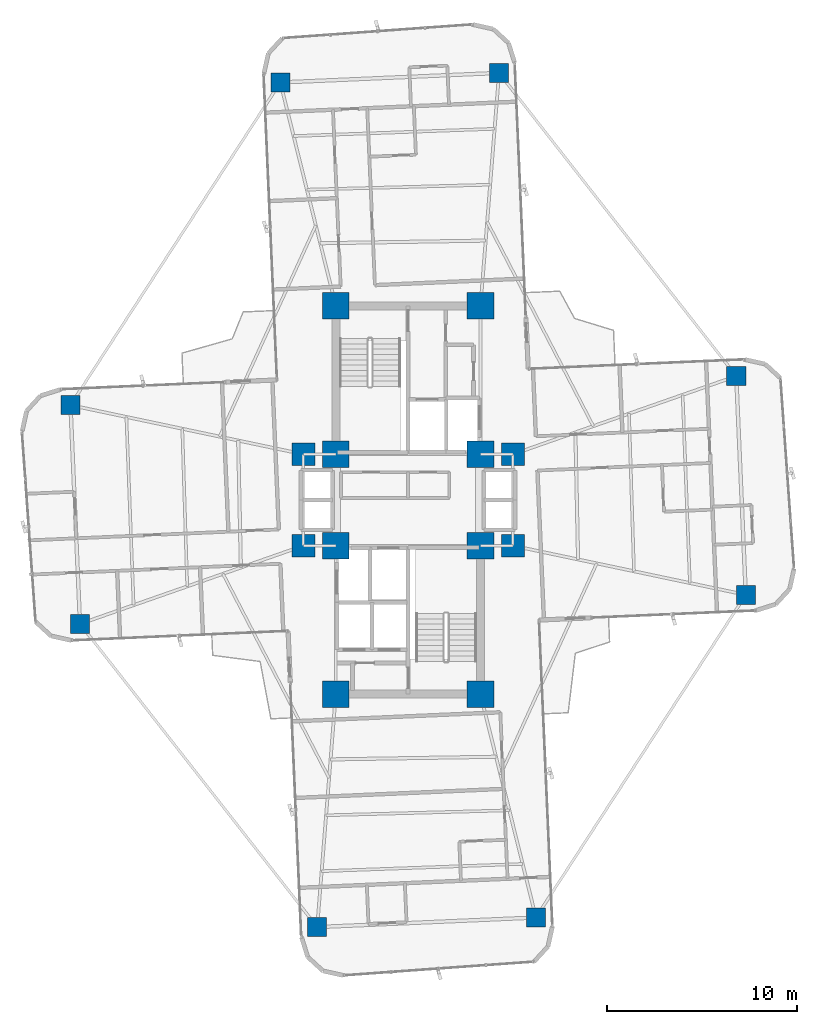
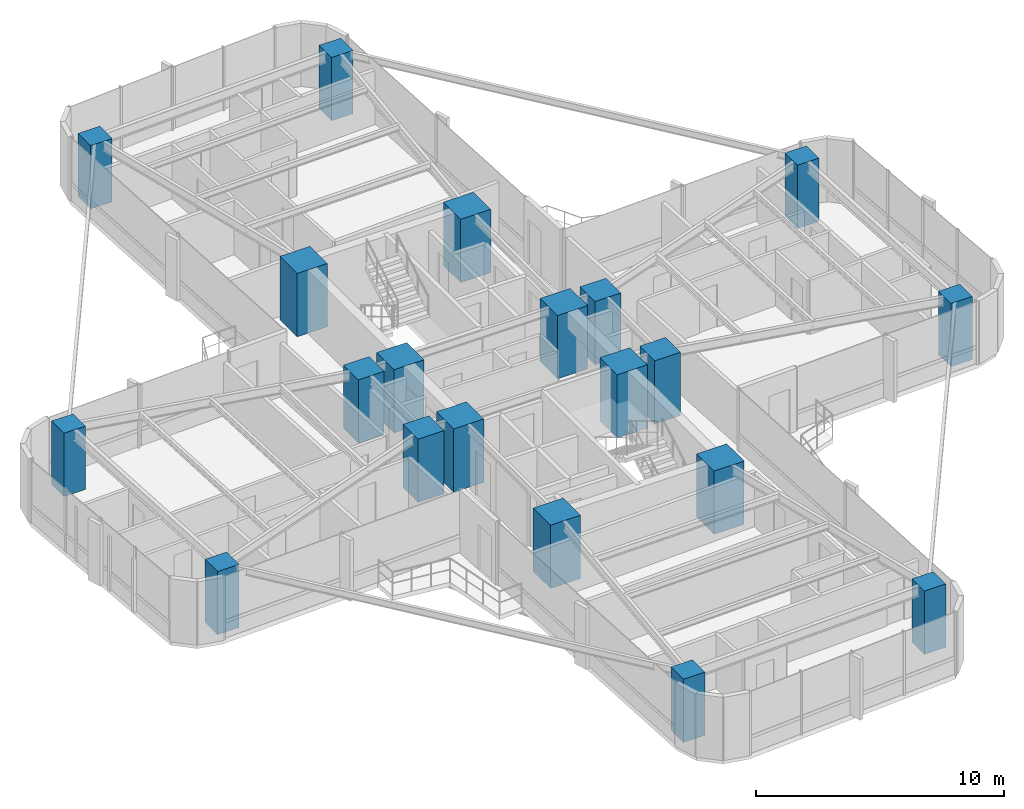
# One storey, part 1 of 26: 20 columns.
"""IFC4 building model written with IfcOpenShell, lengths in metres."""

from ifc_helpers import new_model, si_unit, direction, frame, origin, origin_2d, place, context, subcontext, project, spatial, rectangle, extrude, source, transform, mapped, material, material_profile, profile_set, type_object, element, save


model = new_model("IFC4")

# Units and contexts
model_context = context("Model", 3, precision=1e-05, world=origin(), true_north=direction((0.0, 1.0)))
body_context = subcontext(model_context, "Body", "Model", "MODEL_VIEW")
ifc_project = project(units=[si_unit("LENGTHUNIT", "METRE"), si_unit("AREAUNIT", "SQUARE_METRE"), si_unit("VOLUMEUNIT", "CUBIC_METRE"), si_unit("PLANEANGLEUNIT", "RADIAN"), si_unit("MASSUNIT", "GRAM", prefix="KILO")], contexts=[model_context])

# Site, building, storey
site_placement = place(None, origin())
site = spatial("IfcSite", under=ifc_project, at=site_placement, CompositionType="ELEMENT")
building_placement = place(site_placement, origin())
building = spatial("IfcBuilding", under=site, at=building_placement, Name="Sahyath Konkavel Grand Hotel", CompositionType="ELEMENT")
storey_placement = place(building_placement, frame((0.0, 0.0, 114.800048828125)))
storey = spatial("IfcBuildingStorey", under=building, at=storey_placement, Name="L31", CompositionType="ELEMENT", Elevation=114.800048828125)

# Columns
ifc_material_1 = material(Name="Concrete C70/85", Category="concrete")
ifc_material_profile_1 = material_profile(ifc_material_1, rectangle(XDim=1.39990234375, YDim=1.39990234375, at=origin_2d()), Name="RC 1400x1400")
ifc_profile_set_1 = profile_set([ifc_material_profile_1], Name="Concrete C70/85")
column_type_1 = type_object("IfcColumnType", Name="COL-RC1400", PredefinedType="COLUMN", material=ifc_profile_set_1)
shared_shape_1 = source(origin(), body_context, "Body", "SweptSolid", [
    extrude(rectangle(XDim=1.39990234375, YDim=1.39990234375, at=origin_2d()), origin(), (0.0, 0.0, 1.0), 3.10986328125),
])
for number, where, z_axis, x_axis, name in (
    (1, (-3.800048828125, 2.39990234375, 0.0), (0.0, 0.0, 1.0), (1.0, 0.0, 0.0), "L31 Core Boundary Column NC-SW"),
    (2, (3.800048828125, 2.39990234375, 0.0), (0.0, 0.0, 1.0), (1.0, 0.0, 0.0), "L31 Core Boundary Column NC-SE"),
    (3, (-3.800048828125, 10.199951171875, 0.0), (0.0, 0.0, 1.0), (1.0, 0.0, 0.0), "L31 Core Boundary Column NC-NW"),
    (4, (3.800048828125, 10.199951171875, 0.0), (0.0, 0.0, 1.0), (1.0, 0.0, 0.0), "L31 Core Boundary Column NC-NE"),
    (5, (-3.800048828125, -2.39990234375, 0.0), (0.0, 0.0, 1.0), (1.0, 0.0, 0.0), "L31 Core Boundary Column SC-NW"),
    (6, (3.800048828125, -2.39990234375, 0.0), (0.0, 0.0, 1.0), (1.0, 0.0, 0.0), "L31 Core Boundary Column SC-NE"),
    (7, (-3.800048828125, -10.199951171875, 0.0), (0.0, 0.0, 1.0), (1.0, 0.0, 0.0), "L31 Core Boundary Column SC-SW"),
    (8, (3.800048828125, -10.199951171875, 0.0), (0.0, 0.0, 1.0), (1.0, 0.0, 0.0), "L31 Core Boundary Column SC-SE"),
):
    element("IfcColumn", number, at=place(storey_placement, frame(where, z_axis=z_axis, x_axis=x_axis)), inside=storey, type_object=column_type_1, Name=name, PredefinedType="COLUMN", context=body_context, shape_type="MappedRepresentation", body=[
        mapped(shared_shape_1, transform((0.0, 0.0, 0.0), scale=1.0)),
    ])
ifc_material_2 = material(Name="Concrete C50/60", Category="concrete")
ifc_material_profile_2 = material_profile(ifc_material_2, rectangle(XDim=1.199951171875, YDim=1.199951171875, at=origin_2d()), Name="RC 1200x1200")
ifc_profile_set_2 = profile_set([ifc_material_profile_2], Name="Concrete C50/60")
column_type_2 = type_object("IfcColumnType", Name="COL-RC1200", PredefinedType="COLUMN", material=ifc_profile_set_2)
shared_shape_2 = source(origin(), body_context, "Body", "SweptSolid", [
    extrude(rectangle(XDim=1.199951171875, YDim=1.199951171875, at=origin_2d()), origin(), (0.0, 0.0, 1.0), 3.10986328125),
])
for number, where, z_axis, x_axis, name in (
    (9, (5.5, 2.39990234375, 0.0), (0.0, 0.0, 1.0), (1.0, 0.0, 0.0), "L31 Central Spine Column HB-NE"),
    (10, (-5.5, 2.39990234375, 0.0), (0.0, 0.0, 1.0), (1.0, 0.0, 0.0), "L31 Central Spine Column HB-NW"),
    (11, (5.5, -2.39990234375, 0.0), (0.0, 0.0, 1.0), (1.0, 0.0, 0.0), "L31 Central Spine Column HB-SE"),
    (12, (-5.5, -2.39990234375, 0.0), (0.0, 0.0, 1.0), (1.0, 0.0, 0.0), "L31 Central Spine Column HB-SW"),
):
    element("IfcColumn", number, at=place(storey_placement, frame(where, z_axis=z_axis, x_axis=x_axis)), inside=storey, type_object=column_type_2, Name=name, PredefinedType="COLUMN", context=body_context, shape_type="MappedRepresentation", body=[
        mapped(shared_shape_2, transform((0.0, 0.0, 0.0), scale=1.0)),
    ])
ifc_material_profile_3 = material_profile(ifc_material_2, rectangle(XDim=1.0, YDim=1.0, at=origin_2d()), Name="RC 1000x1000")
ifc_profile_set_3 = profile_set([ifc_material_profile_3], Name="Concrete C50/60")
column_type_3 = type_object("IfcColumnType", Name="COL-RC1000", PredefinedType="COLUMN", material=ifc_profile_set_3)
shared_shape_3 = source(origin(), body_context, "Body", "SweptSolid", [
    extrude(rectangle(XDim=1.0, YDim=1.0, at=origin_2d()), origin(), (0.0, 0.0, 1.0), 3.10986328125),
])
for number, where, z_axis, x_axis, name in (
    (13, (17.734130859375, -4.981201171875, 0.0), (0.0, 0.0, 1.0), (1.0, 0.0, 0.0), "L31 Cruciform Wing Column WC-EA"),
    (14, (17.232421875, 6.5078125, 0.0), (0.0, 0.0, 1.0), (1.0, 0.0, 0.0), "L31 Cruciform Wing Column WC-EB"),
    (15, (4.776123046875, 22.4296875, 0.0), (0.0, 0.0, 1.0), (1.0, 0.0, 0.0), "L31 Cruciform Wing Column WC-NA"),
    (16, (-6.712890625, 21.927978515625, 0.0), (0.0, 0.0, 1.0), (1.0, 0.0, 0.0), "L31 Cruciform Wing Column WC-NB"),
    (17, (-17.734130859375, 4.981201171875, 0.0), (0.0, 0.0, 1.0), (1.0, 0.0, 0.0), "L31 Cruciform Wing Column WC-WA"),
    (18, (-17.232421875, -6.5078125, 0.0), (0.0, 0.0, 1.0), (1.0, 0.0, 0.0), "L31 Cruciform Wing Column WC-WB"),
    (19, (-4.776123046875, -22.4296875, 0.0), (0.0, 0.0, 1.0), (1.0, 0.0, 0.0), "L31 Cruciform Wing Column WC-SA"),
    (20, (6.712890625, -21.927978515625, 0.0), (0.0, 0.0, 1.0), (1.0, 0.0, 0.0), "L31 Cruciform Wing Column WC-SB"),
):
    element("IfcColumn", number, at=place(storey_placement, frame(where, z_axis=z_axis, x_axis=x_axis)), inside=storey, type_object=column_type_3, Name=name, PredefinedType="COLUMN", context=body_context, shape_type="MappedRepresentation", body=[
        mapped(shared_shape_3, transform((0.0, 0.0, 0.0), scale=1.0)),
    ])

save(model, "model.ifc")
